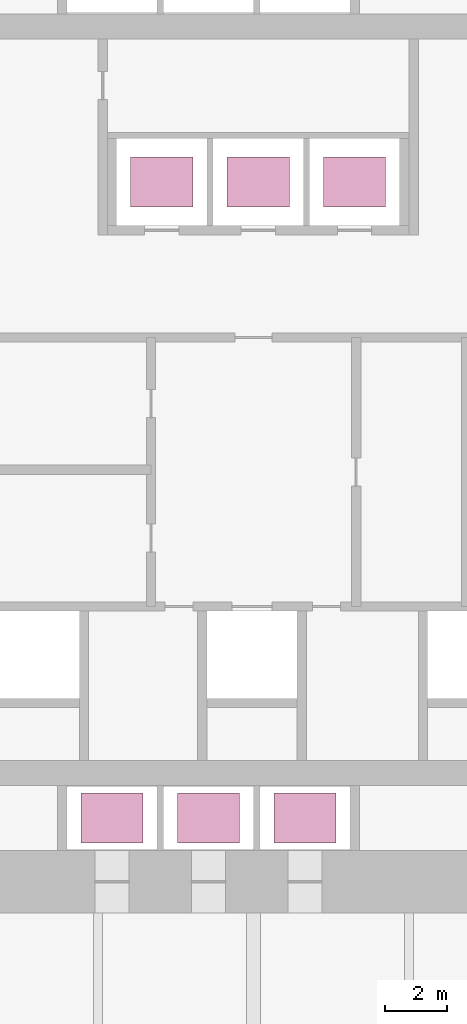
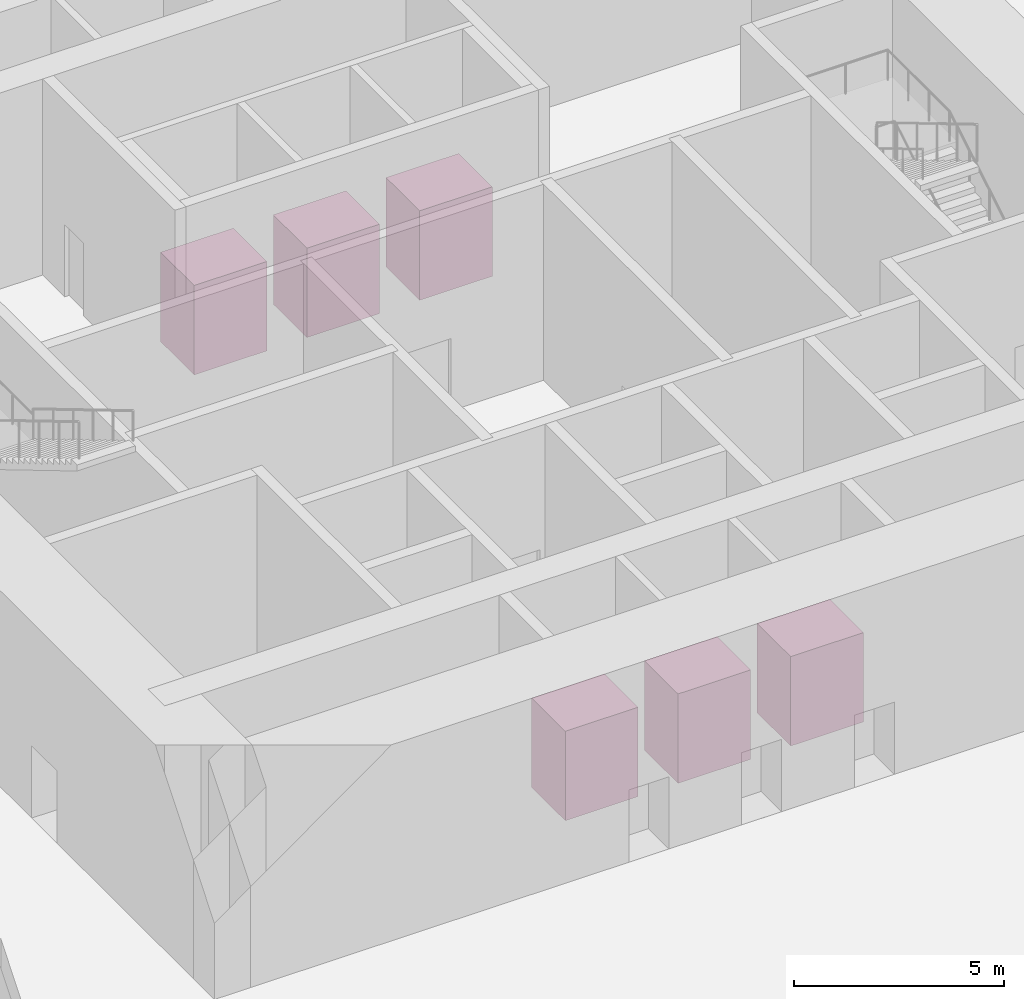
# One storey, part 31 of 31: 6 transport elements.
"""IFC4 building model written with IfcOpenShell, lengths in metres."""

from ifc_helpers import new_model, si_unit, direction, frame, origin, origin_2d, place, context, subcontext, project, spatial, rectangle, extrude, material, type_object, element, save


model = new_model("IFC4")

# Units and contexts
model_context = context("Model", 3, precision=1e-05, world=origin(), true_north=direction((0.0, 1.0)))
body_context = subcontext(model_context, "Body", "Model", "MODEL_VIEW")
ifc_project = project(units=[si_unit("LENGTHUNIT", "METRE"), si_unit("AREAUNIT", "SQUARE_METRE"), si_unit("VOLUMEUNIT", "CUBIC_METRE"), si_unit("PLANEANGLEUNIT", "RADIAN"), si_unit("MASSUNIT", "GRAM", prefix="KILO")], contexts=[model_context])

# Site, building, storey
site_placement = place(None, origin())
site = spatial("IfcSite", under=ifc_project, at=site_placement, CompositionType="ELEMENT")
building_placement = place(site_placement, origin())
building = spatial("IfcBuilding", under=site, at=building_placement, Name="Khuree Lantern Residences", CompositionType="ELEMENT")
storey_placement = place(building_placement, origin())
storey = spatial("IfcBuildingStorey", under=building, at=storey_placement, Name="L00", CompositionType="ELEMENT", Elevation=0.0)

# Transport elements
ifc_material = material(Name="Stainless steel lift car", Category="steel")
transport_element_type = type_object("IfcTransportElementType", Name="LIFT CAR PASSENGER 2000X1600 1600 KG", PredefinedType="ELEVATOR", material=ifc_material)
for number, where, z_axis, x_axis, name in (
    (1, (-2.949951171875, 7.0, 0.0), (0.0, 0.0, 1.0), (1.0, 0.0, 0.0), "Passenger lift PH1"),
    (2, (0.14990234375, 7.0, 0.0), (0.0, 0.0, 1.0), (1.0, 0.0, 0.0), "Passenger lift PH2"),
    (3, (3.25, 7.0, 0.0), (0.0, 0.0, 1.0), (1.0, 0.0, 0.0), "Passenger lift PH3"),
    (4, (-4.550048828125, -13.449951171875, 0.0), (0.0, 0.0, 1.0), (1.0, 0.0, 0.0), "Passenger lift PM1"),
    (5, (-1.449951171875, -13.449951171875, 0.0), (0.0, 0.0, 1.0), (1.0, 0.0, 0.0), "Passenger lift PM2"),
    (6, (1.64990234375, -13.449951171875, 0.0), (0.0, 0.0, 1.0), (1.0, 0.0, 0.0), "Passenger lift PM3"),
):
    element("IfcTransportElement", number, at=place(storey_placement, frame(where, z_axis=z_axis, x_axis=x_axis)), inside=storey, type_object=transport_element_type, Name=name, PredefinedType="ELEVATOR", context=body_context, shape_type="SweptSolid", body=[
        extrude(rectangle(XDim=2.0, YDim=1.60009765625, at=origin_2d()), origin(), (0.0, 0.0, 1.0), 2.60009765625),
    ])

save(model, "model.ifc")
